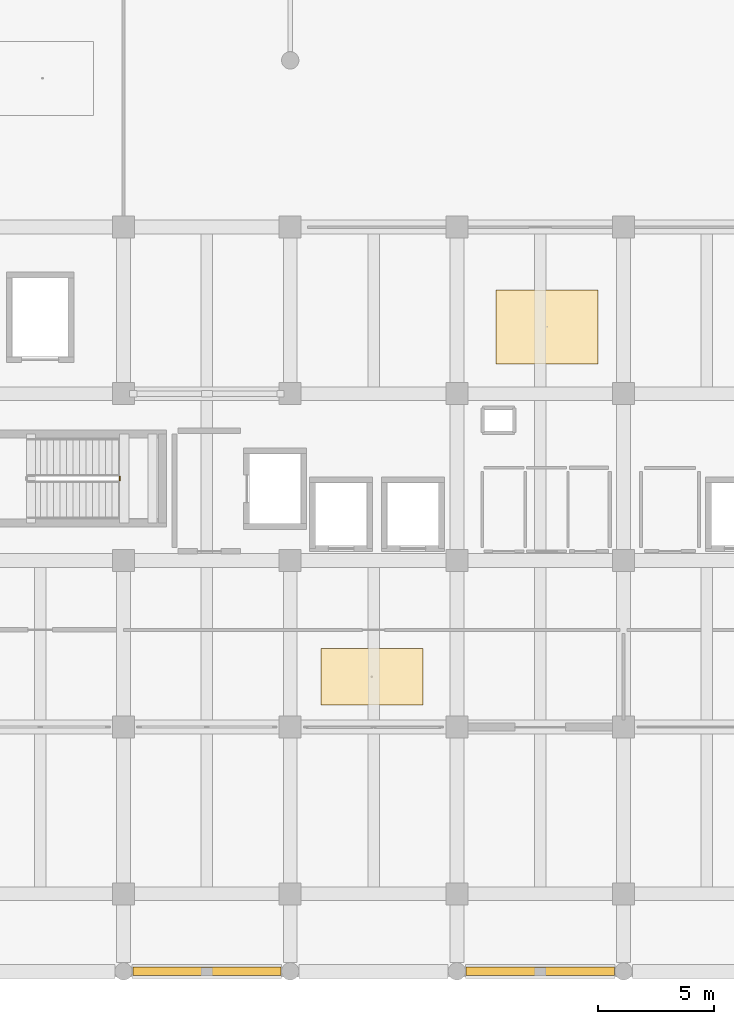
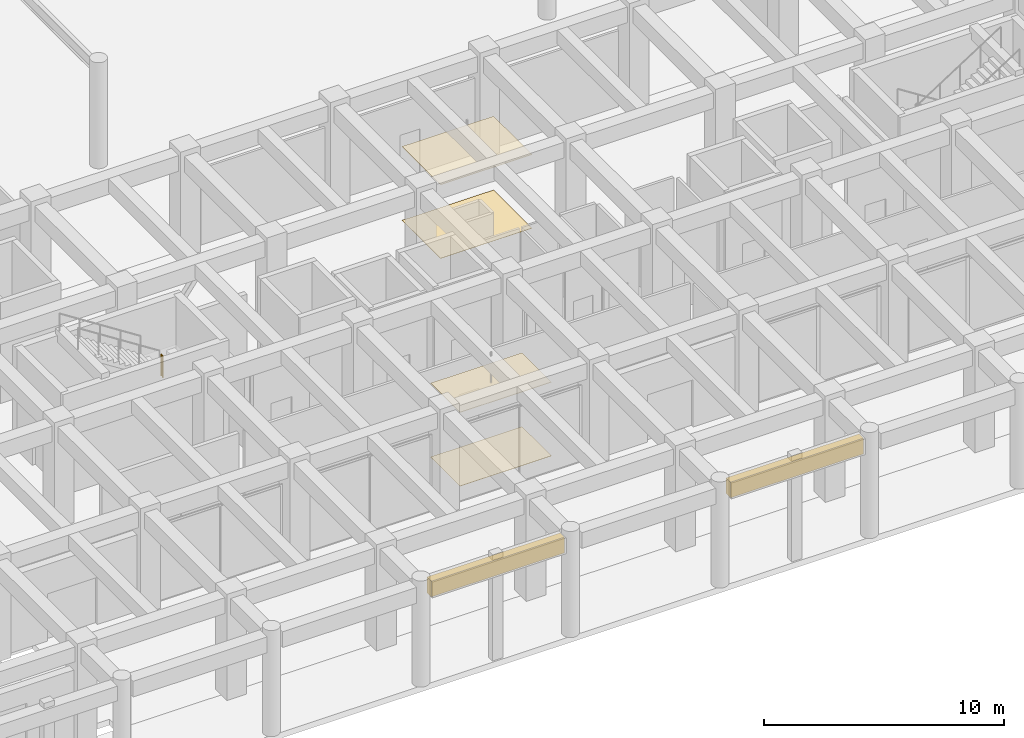
# One storey, part 50 of 56: 6 coverings, 1 railing.
"""IFC4 building model written with IfcOpenShell, lengths in metres."""

from ifc_helpers import new_model, si_unit, direction, frame, origin, origin_2d, place, context, subcontext, project, spatial, rectangle, circle, extrude, material, layer, layer_set, type_object, element, save


model = new_model("IFC4")

# Units and contexts
model_context = context("Model", 3, precision=1e-05, world=origin(), true_north=direction((0.0, 1.0)))
body_context = subcontext(model_context, "Body", "Model", "MODEL_VIEW")
ifc_project = project(units=[si_unit("LENGTHUNIT", "METRE"), si_unit("AREAUNIT", "SQUARE_METRE"), si_unit("VOLUMEUNIT", "CUBIC_METRE"), si_unit("PLANEANGLEUNIT", "RADIAN"), si_unit("MASSUNIT", "GRAM", prefix="KILO")], contexts=[model_context])

# Site, building, storey
site_placement = place(None, origin())
site = spatial("IfcSite", under=ifc_project, at=site_placement, CompositionType="ELEMENT")
building_placement = place(site_placement, origin())
building = spatial("IfcBuilding", under=site, at=building_placement, Name="Kazehaya Institute of Natural Sciences", CompositionType="ELEMENT")
storey_placement = place(building_placement, origin())
storey = spatial("IfcBuildingStorey", under=building, at=storey_placement, Name="L00", CompositionType="ELEMENT", Elevation=0.0)

# Coverings
ifc_material_1 = material(Name="Mineral-fibre acoustic ceiling tile")
ifc_layer_1 = layer(ifc_material_1, 0.02490234375, Name="Mineral-fibre acoustic ceiling tile")
ifc_layer_set_1 = layer_set([ifc_layer_1], Name="Mineral-fibre acoustic ceiling tile")
covering_type_1 = type_object("IfcCoveringType", Name="COV-CEIL-AC", PredefinedType="CEILING", material=ifc_layer_set_1)
covering_1_placement = place(storey_placement, frame((79.72509765625, 16.175048828125, 3.74755859375), z_axis=(0.0, 0.0, 1.0), x_axis=(1.0, 0.0, 0.0)))
element("IfcCovering", 1, at=covering_1_placement, inside=storey, type_object=covering_type_1, Name="L00 Organic Synthesis Laboratory ceiling 5", PredefinedType="CEILING", context=body_context, shape_type="SweptSolid", body=[
    extrude(rectangle(XDim=4.39990234375, YDim=2.449951171875, at=origin_2d()), origin(), (0.0, 0.0, 1.0), 0.02490234375),
])
covering_2_placement = place(storey_placement, frame((87.296875, 31.29052734375, 3.74755859375), z_axis=(0.0, 0.0, 1.0), x_axis=(1.0, 0.0, 0.0)))
element("IfcCovering", 2, at=covering_2_placement, inside=storey, type_object=covering_type_1, Name="L00 Biochemical Assay Laboratory ceiling 6", PredefinedType="CEILING", context=body_context, shape_type="SweptSolid", body=[
    extrude(rectangle(XDim=4.39990234375, YDim=3.199951171875, at=origin_2d()), origin(), (0.0, 0.0, 1.0), 0.02490234375),
])
ifc_material_2 = material(Name="Sawara granite ashlar cladding", Category="masonry")
ifc_layer_2 = layer(ifc_material_2, 0.050048828125, Name="Sawara granite ashlar cladding", Category="masonry")
ifc_layer_set_2 = layer_set([ifc_layer_2], Name="Sawara granite ashlar cladding")
covering_type_2 = type_object("IfcCoveringType", Name="COV-CLAD-GRN", PredefinedType="CLADDING", material=ifc_layer_set_2)
for number, where, z_axis, x_axis, name in (
    (3, (72.60009765625, 3.449951171875, 4.2998046875), (0.0, 0.0, 1.0), (1.0, 0.0, 0.0), "L00 rusticated Sawara granite colonnade entablature 5"),
    (4, (87.0, 3.449951171875, 4.2998046875), (0.0, 0.0, 1.0), (1.0, 0.0, 0.0), "L00 rusticated Sawara granite colonnade entablature 6"),
):
    element("IfcCovering", number, at=place(storey_placement, frame(where, z_axis=z_axis, x_axis=x_axis)), inside=storey, type_object=covering_type_2, Name=name, PredefinedType="CLADDING", context=body_context, shape_type="SweptSolid", body=[
        extrude(rectangle(XDim=6.39990234375, YDim=0.360107421875, at=origin_2d()), origin(), (0.0, 0.0, 1.0), 0.800048828125),
    ])
ifc_material_3 = material(Name="Seamless chemical-resistant epoxy flooring")
ifc_layer_3 = layer(ifc_material_3, 0.014892578125, Name="Seamless chemical-resistant epoxy flooring")
ifc_layer_set_3 = layer_set([ifc_layer_3], Name="Seamless chemical-resistant epoxy flooring")
covering_type_3 = type_object("IfcCoveringType", Name="COV-FLR-EPX", PredefinedType="FLOORING", material=ifc_layer_set_3)
covering_3_placement = place(storey_placement, frame((79.72509765625, 16.175048828125, 0.0), z_axis=(0.0, 0.0, 1.0), x_axis=(1.0, 0.0, 0.0)))
element("IfcCovering", 5, at=covering_3_placement, inside=storey, type_object=covering_type_3, Name="L00 Organic Synthesis Laboratory finish flooring 5", PredefinedType="FLOORING", context=body_context, shape_type="SweptSolid", body=[
    extrude(rectangle(XDim=4.39990234375, YDim=2.449951171875, at=origin_2d()), origin(), (0.0, 0.0, 1.0), 0.014892578125),
])
covering_4_placement = place(storey_placement, frame((87.296875, 31.29052734375, 0.0), z_axis=(0.0, 0.0, 1.0), x_axis=(1.0, 0.0, 0.0)))
element("IfcCovering", 6, at=covering_4_placement, inside=storey, type_object=covering_type_3, Name="L00 Biochemical Assay Laboratory finish flooring 6", PredefinedType="FLOORING", context=body_context, shape_type="SweptSolid", body=[
    extrude(rectangle(XDim=4.39990234375, YDim=3.199951171875, at=origin_2d()), origin(), (0.0, 0.0, 1.0), 0.014892578125),
])

# Railing
ifc_material_4 = material(Name="Structural steel SN490B", Category="steel")
railing_type = type_object("IfcRailingType", Name="RL-STAIR-GRD", PredefinedType="GUARDRAIL", material=ifc_material_4)
railing_placement = place(storey_placement, frame((68.830078125, 24.659912109375, 2.699951171875)))
element("IfcRailing", 7, at=railing_placement, inside=storey, type_object=railing_type, Name="L00 ST-1 stair guard 2", PredefinedType="GUARDRAIL", context=body_context, shape_type="SweptSolid", body=[
    extrude(circle(Radius=0.02392578125, at=origin_2d()), frame((0.0, 0.0, 1.076171875), z_axis=(0.0, 1.0, 0.0), x_axis=(-1.0, 0.0, 0.0)), (0.0, 0.0, 1.0), 0.16015625),
    extrude(circle(Radius=0.02099609375, at=origin_2d()), origin(), (0.0, 0.0, 1.0), 1.052001953125),
    extrude(circle(Radius=0.02099609375, at=origin_2d()), frame((0.0, 0.16015625, 0.0)), (0.0, 0.0, 1.0), 1.052001953125),
])

save(model, "model.ifc")
